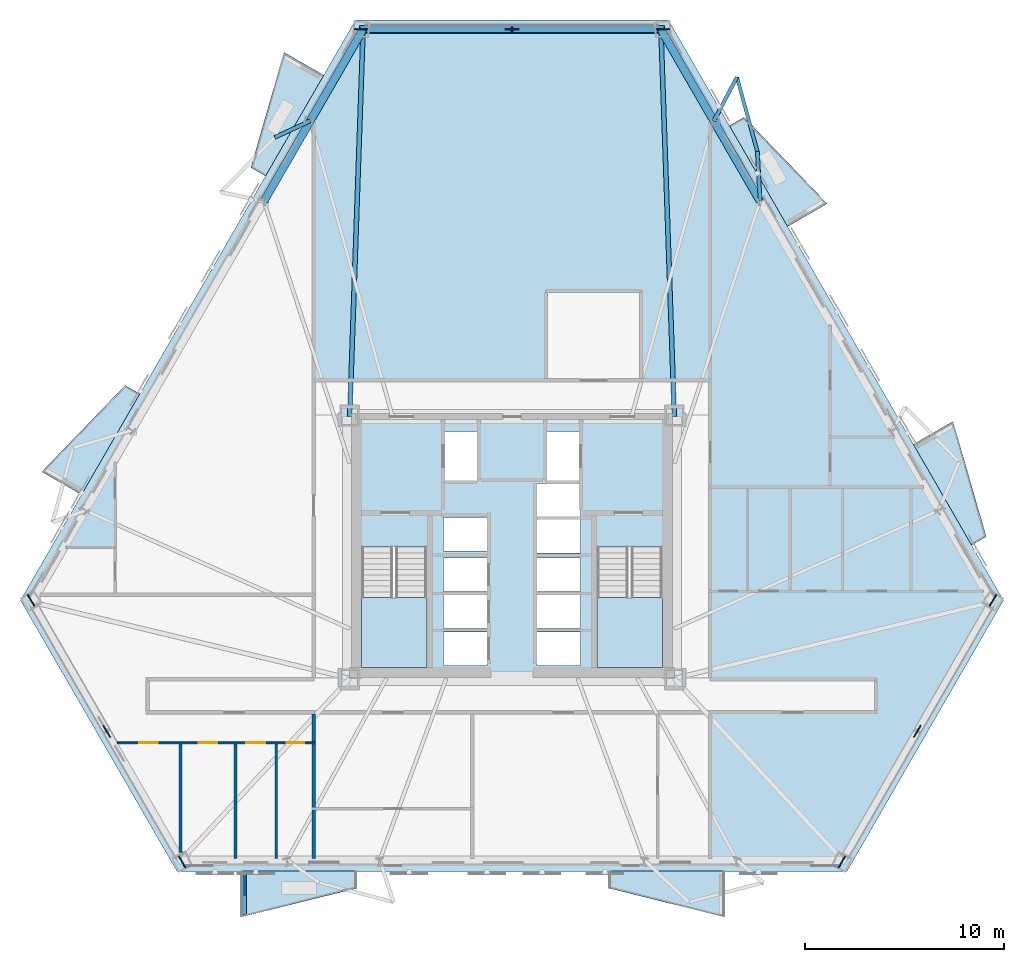
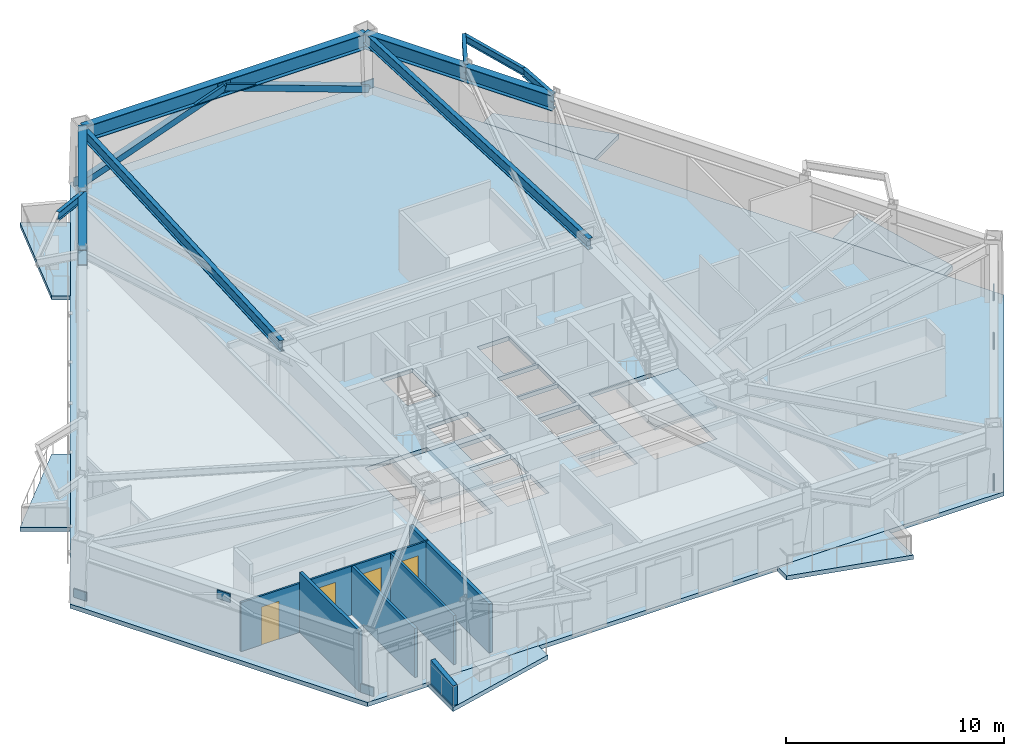
# One storey, part 2 of 13: 11 beams, 9 plates, 9 slabs, 6 walls, 4 doors, 2 members, 4 openings, 2 elements without a shape of their own.
"""IFC4 building model written with IfcOpenShell, lengths in metres."""

import ifcopenshell
import ifcopenshell.guid

model = None  # the IFC model being written
_history = None  # IfcOwnerHistory: only IFC2X3 demands one
_inside = {}  # id of a spatial element -> (the spatial element, [elements in it])
_under = {}  # id of a project, library or spatial element -> (it, [spatial elements below it])
_declared = {}  # id of a project -> (the project, [libraries it declares])
_typed = {}  # id of a type object -> (the type object, [elements of that type])
_made_of = {}  # id of a material, layer set ... -> (it, [elements and type objects made of it])


def new_model(schema):
    """Start an empty IFC model of exactly this schema.

    Asked for "IFC4X3", IfcOpenShell would pick the latest addendum, in which some entities
    have other attributes; the version numbers below select the first issue.
    IFC2X3 requires an IfcOwnerHistory on every rooted entity: one is made here for all.
    """
    global model, _history
    if schema == "IFC4X3":
        model = ifcopenshell.file(schema_version=(4, 3, 0, 0))
    else:
        model = ifcopenshell.file(schema=schema)
    _inside.clear()
    _under.clear()
    _declared.clear()
    _typed.clear()
    _made_of.clear()
    _history = None
    if model.schema == "IFC2X3":
        org = make("IfcOrganization", Name="unknown")
        user = make(
            "IfcPersonAndOrganization",
            ThePerson=make("IfcPerson", FamilyName="unknown"),
            TheOrganization=org,
        )
        app = make(
            "IfcApplication",
            ApplicationDeveloper=org,
            Version="unknown",
            ApplicationFullName="unknown",
            ApplicationIdentifier="unknown",
        )
        _history = make(
            "IfcOwnerHistory",
            OwningUser=user,
            OwningApplication=app,
            ChangeAction="ADDED",
            CreationDate=0,
        )
    return model


def make(cls, **values):
    """One entity of the class cls with the attributes given. An attribute that is None is left unset."""
    return model.create_entity(
        cls, **{name: value for name, value in values.items() if value is not None}
    )


def rooted(cls, **values):
    """An entity with a GlobalId (a new one), such as an element, a storey or a relation."""
    return make(cls, GlobalId=ifcopenshell.guid.new(), OwnerHistory=_history, **values)


def si_unit(unit_type, name, prefix=None):
    """IfcSIUnit, for example si_unit("LENGTHUNIT", "METRE", prefix="MILLI")."""
    return make("IfcSIUnit", UnitType=unit_type, Prefix=prefix, Name=name)


def assignment(units):
    """IfcUnitAssignment: the units of a project."""
    return None if units is None else make("IfcUnitAssignment", Units=units)


def point(xyz):
    """IfcCartesianPoint."""
    return None if xyz is None else make("IfcCartesianPoint", Coordinates=xyz)


def direction(xyz):
    """IfcDirection."""
    return None if xyz is None else make("IfcDirection", DirectionRatios=xyz)


def frame(location, z_axis=None, x_axis=None):
    """IfcAxis2Placement3D, a coordinate frame: its origin and axes. An axis left out is left unset."""
    return make(
        "IfcAxis2Placement3D",
        Location=point(location),
        Axis=direction(z_axis),
        RefDirection=direction(x_axis),
    )


def frame_2d(location, x_axis=None):
    """IfcAxis2Placement2D, a coordinate frame in the plane: its origin and x axis."""
    return make(
        "IfcAxis2Placement2D", Location=point(location), RefDirection=direction(x_axis)
    )


def origin():
    """The frame at (0, 0, 0) with its axes left unset."""
    return frame((0.0, 0.0, 0.0))


def origin_2d():
    """The frame at (0, 0) in the plane with its x axis left unset."""
    return frame_2d((0.0, 0.0))


def place(relative_to, where):
    """IfcLocalPlacement: puts the frame where relative to a parent placement (None: the world)."""
    return make(
        "IfcLocalPlacement", PlacementRelTo=relative_to, RelativePlacement=where
    )


def context(
    kind, dimensions, precision=None, world=None, true_north=None, identifier=None
):
    """IfcGeometricRepresentationContext, for example the 3D "Model" context."""
    return make(
        "IfcGeometricRepresentationContext",
        ContextIdentifier=identifier,
        ContextType=kind,
        CoordinateSpaceDimension=dimensions,
        Precision=precision,
        WorldCoordinateSystem=world,
        TrueNorth=true_north,
    )


def subcontext(parent, identifier, kind, view, scale=None):
    """IfcGeometricRepresentationSubContext, for example "Body" below "Model"."""
    return make(
        "IfcGeometricRepresentationSubContext",
        ContextIdentifier=identifier,
        ContextType=kind,
        ParentContext=parent,
        TargetScale=scale,
        TargetView=view,
    )


def project(units=None, contexts=None):
    """IfcProject with its units and contexts."""
    return rooted(
        "IfcProject",
        Name="project",
        RepresentationContexts=contexts,
        UnitsInContext=assignment(units),
    )


def spatial(cls, under=None, at=None, **own):
    """A site, building, storey or space (cls), placed at a placement, below another one or the project."""
    s = rooted(cls, ObjectPlacement=at, **own)
    if under is not None:
        _under.setdefault(under.id(), (under, []))[1].append(s)
    return s


def polyline(points):
    """IfcPolyline through the points."""
    return make("IfcPolyline", Points=[point(p) for p in points])


def profile(cls, at=None, kind="AREA", **sizes):
    """A parametric profile (cls). Its sizes go by their IFC names, for example OverallWidth=200.0."""
    return make(cls, ProfileType=kind, Position=at, **sizes)


def rectangle(**sizes):
    """IfcRectangleProfileDef."""
    return profile("IfcRectangleProfileDef", **sizes)


def hollow_rectangle(**sizes):
    """IfcRectangleHollowProfileDef."""
    return profile("IfcRectangleHollowProfileDef", **sizes)


def i_section(**sizes):
    """IfcIShapeProfileDef."""
    return profile("IfcIShapeProfileDef", **sizes)


def outline(outer, holes=None, kind="AREA"):
    """IfcArbitraryClosedProfileDef: a profile drawn as a closed curve; with holes, ...WithVoids."""
    if holes is None:
        return make("IfcArbitraryClosedProfileDef", ProfileType=kind, OuterCurve=outer)
    return make(
        "IfcArbitraryProfileDefWithVoids",
        ProfileType=kind,
        OuterCurve=outer,
        InnerCurves=holes,
    )


def extrude(swept, where, along, depth):
    """IfcExtrudedAreaSolid: the profile swept, set in the frame where, extruded along a direction by depth."""
    return make(
        "IfcExtrudedAreaSolid",
        SweptArea=swept,
        Position=where,
        ExtrudedDirection=direction(along),
        Depth=depth,
    )


def shape(context_of_items, identifier, shape_type, items):
    """IfcShapeRepresentation: the items that make up one representation, for example the "Body"."""
    return make(
        "IfcShapeRepresentation",
        ContextOfItems=context_of_items,
        RepresentationIdentifier=identifier,
        RepresentationType=shape_type,
        Items=items,
    )


def material(Name=None, Category=None):
    """IfcMaterial."""
    return make("IfcMaterial", Name=Name, Category=Category)


def layer(
    of_material, thickness, ventilated=None, Name=None, Category=None, Priority=None
):
    """IfcMaterialLayer: one layer of a wall or slab, of a material (None: an air gap)."""
    return make(
        "IfcMaterialLayer",
        Material=of_material,
        LayerThickness=thickness,
        IsVentilated=ventilated,
        Name=Name,
        Category=Category,
        Priority=Priority,
    )


def layer_set(layers, Name=None):
    """IfcMaterialLayerSet."""
    return make("IfcMaterialLayerSet", MaterialLayers=layers, LayerSetName=Name)


def material_profile(
    of_material, cross_section, Name=None, Category=None, Priority=None
):
    """IfcMaterialProfile: a cross section and its material."""
    return make(
        "IfcMaterialProfile",
        Name=Name,
        Material=of_material,
        Profile=cross_section,
        Priority=Priority,
        Category=Category,
    )


def profile_set(profiles, Name=None, composite=None):
    """IfcMaterialProfileSet."""
    return make(
        "IfcMaterialProfileSet",
        Name=Name,
        MaterialProfiles=profiles,
        CompositeProfile=composite,
    )


def made_of(thing, what):
    """Note that an element or type object is made of a material, layer set ...; save() writes the relation."""
    if what is not None:
        _made_of.setdefault(what.id(), (what, []))[1].append(thing)
    return thing


def type_object(cls, material=None, **own):
    """A type object (cls), such as IfcWallType, which elements share."""
    return made_of(rooted(cls, **own), material)


def element(
    cls,
    number,
    at=None,
    inside=None,
    cuts=None,
    type_object=None,
    material=None,
    context=None,
    identifier="Body",
    shape_type=None,
    held_by="IfcProductDefinitionShape",
    body=None,
    shapes=None,
    **own,
):
    """One element of the class cls, such as IfcWall. Its Tag is "e" and its number.

    at: its placement. inside: the storey or other place that contains it. cuts: it is an
    opening in that element (IfcRelVoidsElement). A single representation is given by context,
    identifier, shape_type and body (its items); several are given by shapes. held_by: the class
    of the entity that holds the representations. save() writes the other relations.
    """
    e = rooted(cls, Tag="e%d" % number, ObjectPlacement=at, **own)
    if body is not None:
        shapes = [shape(context, identifier, shape_type, body)]
    if shapes is not None:
        e.Representation = make(held_by, Representations=shapes)
    if inside is not None:
        _inside.setdefault(inside.id(), (inside, []))[1].append(e)
    if cuts is not None:
        rooted(
            "IfcRelVoidsElement", RelatingBuildingElement=cuts, RelatedOpeningElement=e
        )
    if type_object is not None:
        _typed.setdefault(type_object.id(), (type_object, []))[1].append(e)
    return made_of(e, material)


def fill(opening, filler):
    """IfcRelFillsElement: the door or window that sits in an opening."""
    return rooted(
        "IfcRelFillsElement",
        RelatingOpeningElement=opening,
        RelatedBuildingElement=filler,
    )


def aggregate(whole, parts):
    """IfcRelAggregates: a whole, such as a stair, and the parts it consists of."""
    return rooted("IfcRelAggregates", RelatingObject=whole, RelatedObjects=parts)


def save(model, path):
    """Write the relations noted so far, then the file.

    IfcRelAggregates (storeys below a building ...), IfcRelContainedInSpatialStructure (elements
    in a storey), IfcRelDefinesByType, IfcRelAssociatesMaterial and IfcRelDeclares: one each for
    every whole, place, type object, material and project.
    """
    for whole, parts in _under.values():
        aggregate(whole, parts)
    for where, things in _inside.values():
        rooted(
            "IfcRelContainedInSpatialStructure",
            RelatedElements=things,
            RelatingStructure=where,
        )
    for kind, things in _typed.values():
        rooted("IfcRelDefinesByType", RelatedObjects=things, RelatingType=kind)
    for what, things in _made_of.values():
        rooted("IfcRelAssociatesMaterial", RelatedObjects=things, RelatingMaterial=what)
    for by, libraries in _declared.values():
        rooted("IfcRelDeclares", RelatingContext=by, RelatedDefinitions=libraries)
    model.write(path)


model = new_model("IFC4")

# Units and contexts
model_context = context("Model", 3, precision=1e-05, world=origin(), true_north=direction((0.0, 1.0)))
body_context = subcontext(model_context, "Body", "Model", "MODEL_VIEW")
ifc_project = project(units=[si_unit("LENGTHUNIT", "METRE"), si_unit("AREAUNIT", "SQUARE_METRE"), si_unit("VOLUMEUNIT", "CUBIC_METRE"), si_unit("PLANEANGLEUNIT", "RADIAN"), si_unit("MASSUNIT", "GRAM", prefix="KILO")], contexts=[model_context])

# Site, building, storey
site_placement = place(None, origin())
site = spatial("IfcSite", under=ifc_project, at=site_placement, CompositionType="ELEMENT")
building_placement = place(site_placement, origin())
building = spatial("IfcBuilding", under=site, at=building_placement, Name="Oramaril Tower", CompositionType="ELEMENT")
storey_placement = place(building_placement, frame((0.0, 0.0, 41.699951171875)))
storey = spatial("IfcBuildingStorey", under=building, at=storey_placement, Name="L10", CompositionType="ELEMENT", Elevation=41.699951171875)

# Beams
ifc_material_1 = material(Name="Steel ASTM A572 Gr 50", Category="steel")
ifc_material_profile_1 = material_profile(ifc_material_1, i_section(OverallWidth=0.19091796875, OverallDepth=0.45703125, WebThickness=0.009033203125, FlangeThickness=0.014404296875, at=origin_2d()), Name="W18X50")
ifc_profile_set_1 = profile_set([ifc_material_profile_1], Name="Steel ASTM A572 Gr 50")
beam_type_1 = type_object("IfcBeamType", Name="BT-BB1", PredefinedType="BEAM", material=ifc_profile_set_1)
beam_1_placement = place(storey_placement, frame((49.95947265625, 34.9638671875, 3.131591796875), z_axis=(-0.055821339303, 0.998440773445, 0.0), x_axis=(-0.998440773445, -0.055821339303, 0.0)))
element("IfcBeam", 1, at=beam_1_placement, inside=storey, type_object=beam_type_1, Name="L10 Balcony Column-Framed Cantilever 04.1", PredefinedType="BEAM", context=body_context, shape_type="SweptSolid", body=[
    extrude(i_section(OverallWidth=0.19091796875, OverallDepth=0.45703125, WebThickness=0.009033203125, FlangeThickness=0.014404296875, at=origin_2d()), origin(), (0.0, 0.0, 1.0), 2.501708984375),
])
beam_2_placement = place(storey_placement, frame((47.634521484375, 38.990966796875, 3.131591796875), z_axis=(0.466554176276, 0.884492623259, 0.0), x_axis=(-0.884492623259, 0.466554176276, 0.0)))
element("IfcBeam", 2, at=beam_2_placement, inside=storey, type_object=beam_type_1, Name="L10 Balcony Column-Framed Cantilever 04.2", PredefinedType="BEAM", context=body_context, shape_type="SweptSolid", body=[
    extrude(i_section(OverallWidth=0.19091796875, OverallDepth=0.45703125, WebThickness=0.009033203125, FlangeThickness=0.014404296875, at=origin_2d()), origin(), (0.0, 0.0, 1.0), 2.49072265625),
])
beam_3_placement = place(storey_placement, frame((27.365478515625, 38.990966796875, 3.131591796875), z_axis=(-0.907875347127, -0.419240210475, 0.0), x_axis=(0.419240210475, -0.907875347127, 0.0)))
element("IfcBeam", 3, at=beam_3_placement, inside=storey, type_object=beam_type_1, Name="L10 Balcony Column-Framed Cantilever 05.1", PredefinedType="BEAM", context=body_context, shape_type="SweptSolid", body=[
    extrude(i_section(OverallWidth=0.19091796875, OverallDepth=0.45703125, WebThickness=0.009033203125, FlangeThickness=0.014404296875, at=origin_2d()), origin(), (0.0, 0.0, 1.0), 1.9560546875),
])
ifc_material_2 = material(Name="Steel ASTM A572 Gr 50", Category="steel")
ifc_material_profile_2 = material_profile(ifc_material_2, i_section(OverallWidth=0.22900390625, OverallDepth=0.612060546875, WebThickness=0.011962890625, FlangeThickness=0.01953125, at=origin_2d()), Name="W24X84")
ifc_profile_set_2 = profile_set([ifc_material_profile_2], Name="Steel ASTM A572 Gr 50")
beam_type_2 = type_object("IfcBeamType", Name="BT-FB1", PredefinedType="BEAM", material=ifc_profile_set_2)
for number, where, z_axis, x_axis, name in (
    (4, (45.64990234375, 24.14990234375, 3.053955078125), (-0.034572489216, 0.999402192808, 0.0), (-0.999402192808, -0.034572489216, 0.0), "L10 Radial Primary Beam RB-05"),
    (5, (29.35009765625, 24.14990234375, 3.053955078125), (0.034572489216, 0.999402192808, 0.0), (-0.999402192808, 0.034572489216, 0.0), "L10 Radial Primary Beam RB-06"),
):
    element("IfcBeam", number, at=place(storey_placement, frame(where, z_axis=z_axis, x_axis=x_axis)), inside=storey, type_object=beam_type_2, Name=name, PredefinedType="BEAM", context=body_context, shape_type="SweptSolid", body=[
        extrude(i_section(OverallWidth=0.22900390625, OverallDepth=0.612060546875, WebThickness=0.011962890625, FlangeThickness=0.01953125, at=origin_2d()), origin(), (0.0, 0.0, 1.0), 19.455078125),
    ])
ifc_material_3 = material(Name="Steel ASTM A572 Gr 50", Category="steel")
ifc_material_profile_3 = material_profile(ifc_material_3, i_section(OverallWidth=0.177978515625, OverallDepth=0.404052734375, WebThickness=0.007568359375, FlangeThickness=0.010986328125, at=origin_2d()), Name="W16X36")
ifc_profile_set_3 = profile_set([ifc_material_profile_3], Name="Steel ASTM A572 Gr 50")
beam_type_3 = type_object("IfcBeamType", Name="BT-SB1", PredefinedType="BEAM", material=ifc_profile_set_3)
beam_4_placement = place(storey_placement, frame((49.81982421875, 37.461669921875, 3.157958984375), z_axis=(-0.264382243015, 0.964417974521, 0.0), x_axis=(-0.964417974521, -0.264382243015, 0.0)))
element("IfcBeam", 6, at=beam_4_placement, inside=storey, type_object=beam_type_3, Name="L10 Balcony Edge Tie Beam 04", PredefinedType="BEAM", context=body_context, shape_type="SweptSolid", body=[
    extrude(i_section(OverallWidth=0.177978515625, OverallDepth=0.404052734375, WebThickness=0.007568359375, FlangeThickness=0.010986328125, at=origin_2d()), origin(), (0.0, 0.0, 1.0), 3.8701171875),
])
ifc_material_4 = material(Name="Steel ASTM A572 Gr 50", Category="steel")
ifc_material_profile_4 = material_profile(ifc_material_4, i_section(OverallWidth=0.40087890625, OverallDepth=0.85595703125, WebThickness=0.018310546875, FlangeThickness=0.029296875, at=origin_2d()), Name="W33X201")
ifc_profile_set_4 = profile_set([ifc_material_profile_4], Name="Steel ASTM A572 Gr 50")
beam_type_4 = type_object("IfcBeamType", Name="BT-SP1", PredefinedType="SPANDREL", material=ifc_profile_set_4)
beam_5_placement = place(storey_placement, frame((49.95947265625, 34.9638671875, 2.93212890625), z_axis=(-0.499984536904, 0.866034331223, 0.0), x_axis=(-0.866034331223, -0.499984536904, 0.0)))
element("IfcBeam", 7, at=beam_5_placement, inside=storey, type_object=beam_type_4, Name="L10 Perimeter Spandrel 11", PredefinedType="SPANDREL", context=body_context, shape_type="SweptSolid", body=[
    extrude(i_section(OverallWidth=0.40087890625, OverallDepth=0.85595703125, WebThickness=0.018310546875, FlangeThickness=0.029296875, at=origin_2d()), origin(), (0.0, 0.0, 1.0), 4.650146484375),
])
beam_6_placement = place(storey_placement, frame((47.634521484375, 38.990966796875, 2.93212890625), z_axis=(-0.500012750943, 0.866018041899, 0.0), x_axis=(-0.866018041899, -0.500012750943, 0.0)))
element("IfcBeam", 8, at=beam_6_placement, inside=storey, type_object=beam_type_4, Name="L10 Perimeter Spandrel 12", PredefinedType="SPANDREL", context=body_context, shape_type="SweptSolid", body=[
    extrude(i_section(OverallWidth=0.40087890625, OverallDepth=0.85595703125, WebThickness=0.018310546875, FlangeThickness=0.029296875, at=origin_2d()), origin(), (0.0, 0.0, 1.0), 5.314208984375),
])
beam_7_placement = place(storey_placement, frame((44.977294921875, 43.59326171875, 2.93212890625), z_axis=(-1.0, 0.0, 0.0), x_axis=(0.0, -1.0, 0.0)))
element("IfcBeam", 9, at=beam_7_placement, inside=storey, type_object=beam_type_4, Name="L10 Perimeter Spandrel 13", PredefinedType="SPANDREL", context=body_context, shape_type="SweptSolid", body=[
    extrude(i_section(OverallWidth=0.40087890625, OverallDepth=0.85595703125, WebThickness=0.018310546875, FlangeThickness=0.029296875, at=origin_2d()), origin(), (0.0, 0.0, 1.0), 14.95458984375),
])
beam_8_placement = place(storey_placement, frame((30.022705078125, 43.59326171875, 2.93212890625), z_axis=(-0.500012750943, -0.866018041899, 0.0), x_axis=(0.866018041899, -0.500012750943, 0.0)))
element("IfcBeam", 10, at=beam_8_placement, inside=storey, type_object=beam_type_4, Name="L10 Perimeter Spandrel 14", PredefinedType="SPANDREL", context=body_context, shape_type="SweptSolid", body=[
    extrude(i_section(OverallWidth=0.40087890625, OverallDepth=0.85595703125, WebThickness=0.018310546875, FlangeThickness=0.029296875, at=origin_2d()), origin(), (0.0, 0.0, 1.0), 5.314208984375),
])
beam_9_placement = place(storey_placement, frame((27.365478515625, 38.990966796875, 2.93212890625), z_axis=(-0.499984536904, -0.866034331223, 0.0), x_axis=(0.866034331223, -0.499984536904, 0.0)))
element("IfcBeam", 11, at=beam_9_placement, inside=storey, type_object=beam_type_4, Name="L10 Perimeter Spandrel 15", PredefinedType="SPANDREL", context=body_context, shape_type="SweptSolid", body=[
    extrude(i_section(OverallWidth=0.40087890625, OverallDepth=0.85595703125, WebThickness=0.018310546875, FlangeThickness=0.029296875, at=origin_2d()), origin(), (0.0, 0.0, 1.0), 4.650146484375),
])

# Members
ifc_material_5 = material(Name="Steel ASTM A572 Gr 50", Category="steel")
ifc_material_profile_5 = material_profile(ifc_material_5, hollow_rectangle(XDim=0.35009765625, YDim=0.35009765625, WallThickness=0.01611328125, at=origin_2d()), Name="HSS350X350X16")
ifc_profile_set_5 = profile_set([ifc_material_profile_5], Name="Steel ASTM A572 Gr 50")
member_type = type_object("IfcMemberType", Name="MT-KB1", PredefinedType="BRACE", material=ifc_profile_set_5)
for number, where, z_axis, x_axis, name in (
    (12, (45.089111328125, 43.6025390625, 0.179931640625), (-0.940090636557, 0.0, 0.340924617851), (0.0, -1.0, 0.0), "L10 Perimeter Chevron Brace KB-3A"),
    (13, (29.910888671875, 43.6025390625, 0.179931640625), (0.940090636557, 0.0, 0.340924617851), (0.0, 1.0, 0.0), "L10 Perimeter Chevron Brace KB-3B"),
):
    element("IfcMember", number, at=place(storey_placement, frame(where, z_axis=z_axis, x_axis=x_axis)), inside=storey, type_object=member_type, Name=name, PredefinedType="BRACE", context=body_context, shape_type="SweptSolid", body=[
        extrude(hollow_rectangle(XDim=0.35009765625, YDim=0.35009765625, WallThickness=0.01611328125, at=origin_2d()), origin(), (0.0, 0.0, 1.0), 8.07275390625),
    ])

# Plates
ifc_material_6 = material(Name="Steel ASTM A572 Gr 50", Category="steel")
ifc_layer_1 = layer(ifc_material_6, 0.06005859375)
ifc_layer_set_1 = layer_set([ifc_layer_1], Name="PLT-G60")
plate_type = type_object("IfcPlateType", Name="PLT-G60", PredefinedType="USERDEFINED", material=ifc_layer_set_1)
for number, where, z_axis, x_axis, name in (
    (14, (17.14599609375, 8.3486328125, 2.692138671875), (0.0, 0.0, 1.0), (0.499996976998, -0.866027149108, 0.0), "L10 Chevron Brace Gusset Plate BN-1"),
    (15, (13.3515625, 14.921142578125, 0.10009765625), (0.0, 0.0, 1.0), (0.499996976998, -0.866027149108, 0.0), "L10 Chevron Brace Gusset Plate BN-1"),
    (16, (20.940673828125, 1.7763671875, 0.10009765625), (0.0, 0.0, 1.0), (0.499996976998, -0.866027149108, 0.0), "L10 Chevron Brace Gusset Plate BN-1"),
    (17, (57.85400390625, 8.3486328125, 2.692138671875), (0.0, 0.0, 1.0), (0.499996976998, 0.866027149108, 0.0), "L10 Chevron Brace Gusset Plate BN-1"),
    (18, (54.059326171875, 1.7763671875, 0.10009765625), (0.0, 0.0, 1.0), (0.499996976998, 0.866027149108, 0.0), "L10 Chevron Brace Gusset Plate BN-1"),
    (19, (61.6484375, 14.921142578125, 0.10009765625), (0.0, 0.0, 1.0), (0.499996976998, 0.866027149108, 0.0), "L10 Chevron Brace Gusset Plate BN-1"),
    (20, (37.5, 43.6025390625, 2.692138671875), (0.0, 0.0, 1.0), (-1.0, 0.0, 0.0), "L10 Chevron Brace Gusset Plate BN-1"),
    (21, (45.089111328125, 43.6025390625, 0.10009765625), (0.0, 0.0, 1.0), (-1.0, 0.0, 0.0), "L10 Chevron Brace Gusset Plate BN-1"),
    (22, (29.910888671875, 43.6025390625, 0.10009765625), (0.0, 0.0, 1.0), (-1.0, 0.0, 0.0), "L10 Chevron Brace Gusset Plate BN-1"),
):
    element("IfcPlate", number, at=place(storey_placement, frame(where, z_axis=z_axis, x_axis=x_axis)), inside=storey, type_object=plate_type, Name=name, ObjectType="GUSSET", PredefinedType="USERDEFINED", context=body_context, shape_type="SweptSolid", body=[
        extrude(rectangle(XDim=0.679931640625, YDim=0.06005859375, at=origin_2d()), origin(), (0.0, 0.0, 1.0), 0.47998046875),
    ])

# Slabs
ifc_material_7 = material(Name="Concrete C40/50", Category="concrete")
ifc_layer_2 = layer(ifc_material_7, 0.199951171875)
ifc_layer_set_2 = layer_set([ifc_layer_2], Name="SLT-BAL20")
slab_type_1 = type_object("IfcSlabType", Name="SLT-BAL20", PredefinedType="FLOOR", material=ifc_layer_set_2)
slab_1_placement = place(storey_placement, frame((0.0, 0.0, -0.239990234375)))
element("IfcSlab", 23, at=slab_1_placement, inside=storey, type_object=slab_type_1, Name="L10 Cantilevered Balcony Slab L10-BAL-S2", PredefinedType="FLOOR", context=body_context, shape_type="SweptSolid", body=[
    extrude(outline(polyline([(42.349853515625, 1.318359375), (48.199951171875, 1.318359375), (48.199951171875, -0.983642578125), (42.349853515625, 0.46630859375), (42.349853515625, 1.318359375)])), origin(), (0.0, 0.0, 1.0), 0.239990234375),
])
slab_2_placement = place(storey_placement, frame((0.0, 0.0, -0.239990234375)))
element("IfcSlab", 24, at=slab_2_placement, inside=storey, type_object=slab_type_1, Name="L10 Cantilevered Balcony Slab L10-BAL-NE1", PredefinedType="FLOOR", context=body_context, shape_type="SweptSolid", body=[
    extrude(outline(polyline([(60.577880859375, 17.69140625), (57.65283203125, 22.757568359375), (59.646484375, 23.90869140625), (61.315673828125, 18.117431640625), (60.577880859375, 17.69140625)])), origin(), (0.0, 0.0, 1.0), 0.239990234375),
])
slab_3_placement = place(storey_placement, frame((0.0, 0.0, -0.239990234375)))
element("IfcSlab", 25, at=slab_3_placement, inside=storey, type_object=slab_type_1, Name="L10 Cantilevered Balcony Slab L10-BAL-NW2", PredefinedType="FLOOR", context=body_context, shape_type="SweptSolid", body=[
    extrude(outline(polyline([(18.8095703125, 25.290771484375), (15.884521484375, 20.224609375), (13.89111328125, 21.37548828125), (18.07177734375, 25.716796875), (18.8095703125, 25.290771484375)])), origin(), (0.0, 0.0, 1.0), 0.239990234375),
])
ifc_material_8 = material(Name="Concrete C50/60", Category="concrete")
ifc_layer_3 = layer(ifc_material_8, 0.239990234375)
ifc_layer_set_3 = layer_set([ifc_layer_3], Name="SLT-FLR24")
slab_type_2 = type_object("IfcSlabType", Name="SLT-FLR24", PredefinedType="FLOOR", material=ifc_layer_set_3)
slab_4_placement = place(storey_placement, frame((0.0, 0.0, -0.239990234375)))
element("IfcSlab", 26, at=slab_4_placement, inside=storey, type_object=slab_type_2, Name="L10 Structural Floor Slab", PredefinedType="FLOOR", context=body_context, shape_type="SweptSolid", body=[
    extrude(outline(polyline([(12.8203125, 14.921142578125), (20.675048828125, 1.31640625), (54.324951171875, 1.31640625), (62.1796875, 14.921142578125), (45.354736328125, 44.0625), (29.645263671875, 44.0625), (12.8203125, 14.921142578125)]), holes=[polyline([(29.949951171875, 17.58935546875), (29.949951171875, 11.550048828125), (33.219970703125, 11.550048828125), (33.219970703125, 17.58935546875), (29.949951171875, 17.58935546875)]), polyline([(41.780029296875, 17.58935546875), (41.780029296875, 11.550048828125), (45.050048828125, 11.550048828125), (45.050048828125, 17.58935546875), (41.780029296875, 17.58935546875)]), polyline([(34.110107421875, 20.909912109375), (35.7900390625, 20.909912109375), (35.7900390625, 23.389892578125), (34.110107421875, 23.389892578125), (34.110107421875, 20.909912109375)]), polyline([(39.2099609375, 20.909912109375), (40.889892578125, 20.909912109375), (40.889892578125, 23.389892578125), (39.2099609375, 23.389892578125), (39.2099609375, 20.909912109375)]), polyline([(34.06005859375, 11.659912109375), (36.239990234375, 11.659912109375), (36.239990234375, 13.340087890625), (34.06005859375, 13.340087890625), (34.06005859375, 11.659912109375)]), polyline([(34.06005859375, 13.510009765625), (36.239990234375, 13.510009765625), (36.239990234375, 15.18994140625), (34.06005859375, 15.18994140625), (34.06005859375, 13.510009765625)]), polyline([(34.06005859375, 15.360107421875), (36.239990234375, 15.360107421875), (36.239990234375, 17.0400390625), (34.06005859375, 17.0400390625), (34.06005859375, 15.360107421875)]), polyline([(38.760009765625, 11.659912109375), (40.93994140625, 11.659912109375), (40.93994140625, 13.340087890625), (38.760009765625, 13.340087890625), (38.760009765625, 11.659912109375)]), polyline([(38.760009765625, 13.510009765625), (40.93994140625, 13.510009765625), (40.93994140625, 15.18994140625), (38.760009765625, 15.18994140625), (38.760009765625, 13.510009765625)]), polyline([(38.760009765625, 15.360107421875), (40.93994140625, 15.360107421875), (40.93994140625, 17.0400390625), (38.760009765625, 17.0400390625), (38.760009765625, 15.360107421875)]), polyline([(34.06005859375, 17.409912109375), (36.239990234375, 17.409912109375), (36.239990234375, 19.090087890625), (34.06005859375, 19.090087890625), (34.06005859375, 17.409912109375)]), polyline([(38.760009765625, 17.31005859375), (40.93994140625, 17.31005859375), (40.93994140625, 18.989990234375), (38.760009765625, 18.989990234375), (38.760009765625, 17.31005859375)]), polyline([(38.760009765625, 19.110107421875), (40.93994140625, 19.110107421875), (40.93994140625, 20.7900390625), (38.760009765625, 20.7900390625), (38.760009765625, 19.110107421875)])]), origin(), (0.0, 0.0, 1.0), 0.239990234375),
])

# Stair, slab
ifc_material_9 = material(Name="Concrete C50/60", Category="concrete")
stair_type = type_object("IfcStairType", Name="STT-DG-3600", PredefinedType="HALF_TURN_STAIR", material=ifc_material_9)
stair_1_placement = place(storey_placement, origin())
stair_1 = element("IfcStair", 27, at=stair_1_placement, inside=storey, type_object=stair_type, Name="L10 Protected PFP Exit Stair ST-1", PredefinedType="HALF_TURN_STAIR")
ifc_material_10 = material(Name="Concrete C50/60", Category="concrete")
ifc_layer_4 = layer(ifc_material_10, 0.199951171875)
ifc_layer_set_4 = layer_set([ifc_layer_4], Name="SLT-LND20")
slab_type_3 = type_object("IfcSlabType", Name="SLT-LND20", PredefinedType="LANDING", material=ifc_layer_set_4)
slab_5_placement = place(storey_placement, frame((0.0, 0.0, 1.60009765625)))
slab_5 = element("IfcSlab", 28, at=slab_5_placement, type_object=slab_type_3, Name="ST-1 landing 1", PredefinedType="LANDING", context=body_context, shape_type="SweptSolid", body=[
    extrude(outline(polyline([(29.949951171875, 15.070068359375), (29.949951171875, 11.550048828125), (33.219970703125, 11.550048828125), (33.219970703125, 15.070068359375), (29.949951171875, 15.070068359375)])), origin(), (0.0, 0.0, 1.0), 0.199951171875),
])
aggregate(stair_1, [slab_5])

stair_2_placement = place(storey_placement, origin())
stair_2 = element("IfcStair", 29, at=stair_2_placement, inside=storey, type_object=stair_type, Name="L10 Protected PFP Exit Stair ST-2", PredefinedType="HALF_TURN_STAIR")
slab_6_placement = place(storey_placement, frame((0.0, 0.0, 1.60009765625)))
slab_6 = element("IfcSlab", 30, at=slab_6_placement, type_object=slab_type_3, Name="ST-2 landing 1", PredefinedType="LANDING", context=body_context, shape_type="SweptSolid", body=[
    extrude(outline(polyline([(41.780029296875, 15.070068359375), (41.780029296875, 11.550048828125), (45.050048828125, 11.550048828125), (45.050048828125, 15.070068359375), (41.780029296875, 15.070068359375)])), origin(), (0.0, 0.0, 1.0), 0.199951171875),
])
aggregate(stair_2, [slab_6])

# Slabs
ifc_material_11 = material(Name="Concrete C40/50", Category="concrete")
ifc_layer_5 = layer(ifc_material_11, 0.18994140625)
ifc_layer_set_5 = layer_set([ifc_layer_5], Name="SLT-PLN19")
slab_type_4 = type_object("IfcSlabType", Name="SLT-PLN19", PredefinedType="FLOOR", material=ifc_layer_set_5)
slab_7_placement = place(storey_placement, frame((0.0, 0.0, -0.239990234375)))
element("IfcSlab", 31, at=slab_7_placement, inside=storey, type_object=slab_type_4, Name="L10 Tree Planter Balcony Slab L10-BAL-S1", PredefinedType="FLOOR", context=body_context, shape_type="SweptSolid", body=[
    extrude(outline(polyline([(23.875, 1.318359375), (29.72509765625, 1.318359375), (29.72509765625, 0.46630859375), (23.875, -0.983642578125), (23.875, 1.318359375)])), origin(), (0.0, 0.0, 1.0), 0.239990234375),
])
slab_8_placement = place(storey_placement, frame((0.0, 0.0, -0.239990234375)))
element("IfcSlab", 32, at=slab_8_placement, inside=storey, type_object=slab_type_4, Name="L10 Tree Planter Balcony Slab L10-BAL-NE2", PredefinedType="FLOOR", context=body_context, shape_type="SweptSolid", body=[
    extrude(outline(polyline([(51.340576171875, 33.69091796875), (48.41552734375, 38.757080078125), (49.1533203125, 39.18310546875), (53.333984375, 34.842041015625), (51.340576171875, 33.69091796875)])), origin(), (0.0, 0.0, 1.0), 0.239990234375),
])
slab_9_placement = place(storey_placement, frame((0.0, 0.0, -0.239990234375)))
element("IfcSlab", 33, at=slab_9_placement, inside=storey, type_object=slab_type_4, Name="L10 Tree Planter Balcony Slab L10-BAL-NW1", PredefinedType="FLOOR", context=body_context, shape_type="SweptSolid", body=[
    extrude(outline(polyline([(28.047119140625, 41.290283203125), (25.1220703125, 36.22412109375), (24.38427734375, 36.650146484375), (26.053466796875, 42.44140625), (28.047119140625, 41.290283203125)])), origin(), (0.0, 0.0, 1.0), 0.239990234375),
])

# Wall
ifc_material_12 = material(Name="Concrete C40/50", Category="concrete")
ifc_layer_6 = layer(ifc_material_12, 0.22998046875)
ifc_layer_set_6 = layer_set([ifc_layer_6], Name="WT-PRP23")
wall_type_1 = type_object("IfcWallType", Name="WT-PRP23", PredefinedType="PARAPET", material=ifc_layer_set_6)
wall_1_placement = place(storey_placement, frame((24.05517578125, 1.17822265625, 0.0), z_axis=(0.0, 0.0, 1.0), x_axis=(0.0, -1.0, 0.0)))
element("IfcWall", 34, at=wall_1_placement, inside=storey, type_object=wall_type_1, Name="L10 Trapezoidal Balcony Frame Cheek L10-BAL-S1-L", PredefinedType="PARAPET", context=body_context, shape_type="SweptSolid", body=[
    extrude(outline(polyline([(0.0, 0.0), (2.0419921875, 0.0), (2.0419921875, 1.10009765625), (0.0, 1.320068359375), (0.0, 0.0)])), frame((0.0, 0.114990234375, 0.0), z_axis=(0.0, -1.0, 0.0), x_axis=(1.0, 0.0, 0.0)), (0.0, 0.0, 1.0), 0.22998046875),
])

# Wall, openings, doors
ifc_material_13 = material(Name="Acoustic Gypsum Board Partition")
ifc_layer_7 = layer(ifc_material_13, 0.10009765625)
ifc_layer_set_7 = layer_set([ifc_layer_7], Name="WT-PT10")
wall_type_2 = type_object("IfcWallType", Name="WT-PT10", PredefinedType="PARTITIONING", material=ifc_layer_set_7)
wall_2_placement = place(storey_placement, frame((17.68115234375, 7.77001953125, 0.0), z_axis=(0.0, 0.0, 1.0), x_axis=(1.0, 0.0, 0.0)))
wall_2 = element("IfcWall", 35, at=wall_2_placement, inside=storey, type_object=wall_type_2, Name="L10 Interior Partition PT-10", PredefinedType="PARTITIONING", context=body_context, shape_type="SweptSolid", body=[
    extrude(rectangle(XDim=9.9189453125, YDim=0.10009765625, at=frame_2d((4.95947265625, 0.0))), origin(), (0.0, 0.0, 1.0), 2.738037109375),
])
opening_1_placement = place(wall_2_placement, frame((1.10009765625, 0.0, 0.0)))
opening_1 = element("IfcOpeningElement", 36, at=opening_1_placement, cuts=wall_2, Name="Opening D-L10-02", PredefinedType="OPENING", context=body_context, shape_type="SweptSolid", body=[
    extrude(rectangle(XDim=0.919921875, YDim=2.1201171875, at=frame_2d((0.4599609375, 1.06005859375))), frame((0.0, 0.050048828125, 0.0), z_axis=(0.0, -1.0, 0.0), x_axis=(1.0, 0.0, 0.0)), (0.0, 0.0, 1.0), 0.10009765625),
])
opening_2_placement = place(wall_2_placement, frame((4.09228515625, 0.0, 0.0)))
opening_2 = element("IfcOpeningElement", 37, at=opening_2_placement, cuts=wall_2, Name="Opening D-L10-03", PredefinedType="OPENING", context=body_context, shape_type="SweptSolid", body=[
    extrude(rectangle(XDim=0.919921875, YDim=2.1201171875, at=frame_2d((0.4599609375, 1.06005859375))), frame((0.0, 0.050048828125, 0.0), z_axis=(0.0, -1.0, 0.0), x_axis=(1.0, 0.0, 0.0)), (0.0, 0.0, 1.0), 0.10009765625),
])
opening_3_placement = place(wall_2_placement, frame((6.478759765625, 0.0, 0.0)))
opening_3 = element("IfcOpeningElement", 38, at=opening_3_placement, cuts=wall_2, Name="Opening D-L10-04", PredefinedType="OPENING", context=body_context, shape_type="SweptSolid", body=[
    extrude(rectangle(XDim=0.949951171875, YDim=2.10009765625, at=frame_2d((0.47509765625, 1.050048828125))), frame((0.0, 0.050048828125, 0.0), z_axis=(0.0, -1.0, 0.0), x_axis=(1.0, 0.0, 0.0)), (0.0, 0.0, 1.0), 0.10009765625),
])
opening_4_placement = place(wall_2_placement, frame((8.498779296875, 0.0, 0.0)))
opening_4 = element("IfcOpeningElement", 39, at=opening_4_placement, cuts=wall_2, Name="Opening D-L10-05", PredefinedType="OPENING", context=body_context, shape_type="SweptSolid", body=[
    extrude(rectangle(XDim=0.8798828125, YDim=2.080078125, at=frame_2d((0.43994140625, 1.0400390625))), frame((0.0, 0.050048828125, 0.0), z_axis=(0.0, -1.0, 0.0), x_axis=(1.0, 0.0, 0.0)), (0.0, 0.0, 1.0), 0.10009765625),
])
ifc_material_14 = material(Name="FSC Brazilian Freijo Hardwood", Category="wood")
door_type_1 = type_object("IfcDoorType", Name="DT-BATH", OperationType="NOTDEFINED", PredefinedType="DOOR", material=ifc_material_14)
door_1_placement = place(opening_4_placement, origin())
door_1 = element("IfcDoor", 40, at=door_1_placement, inside=storey, type_object=door_type_1, Name="L10 Flat L10-U3 Bathroom Door D-L10-05", OperationType="SINGLE_SWING_RIGHT", OverallHeight=2.080078125, OverallWidth=0.8798828125, PredefinedType="DOOR", context=body_context, shape_type="SweptSolid", body=[
    extrude(rectangle(XDim=0.8798828125, YDim=2.080078125, at=frame_2d((0.43994140625, 1.0400390625))), frame((0.0, 0.02490234375, 0.0), z_axis=(0.0, -1.0, 0.0), x_axis=(1.0, 0.0, 0.0)), (0.0, 0.0, 1.0), 0.050048828125),
])
fill(opening_4, door_1)
ifc_material_15 = material(Name="FSC Brazilian Freijo Hardwood", Category="wood")
door_type_2 = type_object("IfcDoorType", Name="DT-BED", OperationType="NOTDEFINED", PredefinedType="DOOR", material=ifc_material_15)
door_2_placement = place(opening_1_placement, origin())
door_2 = element("IfcDoor", 41, at=door_2_placement, inside=storey, type_object=door_type_2, Name="L10 Flat L10-U3 Master Bedroom Door D-L10-02", OperationType="SINGLE_SWING_LEFT", OverallHeight=2.1201171875, OverallWidth=0.919921875, PredefinedType="DOOR", context=body_context, shape_type="SweptSolid", body=[
    extrude(rectangle(XDim=0.919921875, YDim=2.1201171875, at=frame_2d((0.4599609375, 1.06005859375))), frame((0.0, 0.02490234375, 0.0), z_axis=(0.0, -1.0, 0.0), x_axis=(1.0, 0.0, 0.0)), (0.0, 0.0, 1.0), 0.050048828125),
])
fill(opening_1, door_2)
door_3_placement = place(opening_2_placement, origin())
door_3 = element("IfcDoor", 42, at=door_3_placement, inside=storey, type_object=door_type_2, Name="L10 Flat L10-U3 Bedroom 2 Door D-L10-03", OperationType="SINGLE_SWING_RIGHT", OverallHeight=2.1201171875, OverallWidth=0.919921875, PredefinedType="DOOR", context=body_context, shape_type="SweptSolid", body=[
    extrude(rectangle(XDim=0.919921875, YDim=2.1201171875, at=frame_2d((0.4599609375, 1.06005859375))), frame((0.0, 0.02490234375, 0.0), z_axis=(0.0, -1.0, 0.0), x_axis=(1.0, 0.0, 0.0)), (0.0, 0.0, 1.0), 0.050048828125),
])
fill(opening_2, door_3)
ifc_material_16 = material(Name="FSC Brazilian Freijo Hardwood", Category="wood")
door_type_3 = type_object("IfcDoorType", Name="DT-STDY", OperationType="NOTDEFINED", PredefinedType="DOOR", material=ifc_material_16)
door_4_placement = place(opening_3_placement, origin())
door_4 = element("IfcDoor", 43, at=door_4_placement, inside=storey, type_object=door_type_3, Name="L10 Flat L10-U3 Kitchen Door D-L10-04", OperationType="SINGLE_SWING_LEFT", OverallHeight=2.10009765625, OverallWidth=0.949951171875, PredefinedType="DOOR", context=body_context, shape_type="SweptSolid", body=[
    extrude(rectangle(XDim=0.949951171875, YDim=2.10009765625, at=frame_2d((0.47509765625, 1.050048828125))), frame((0.0, 0.02490234375, 0.0), z_axis=(0.0, -1.0, 0.0), x_axis=(1.0, 0.0, 0.0)), (0.0, 0.0, 1.0), 0.050048828125),
])
fill(opening_3, door_4)

# Walls
ifc_material_17 = material(Name="Acoustic Gypsum Board Partition")
ifc_layer_8 = layer(ifc_material_17, 0.1201171875)
ifc_layer_set_8 = layer_set([ifc_layer_8], Name="WT-PT12")
wall_type_3 = type_object("IfcWallType", Name="WT-PT12", PredefinedType="PARTITIONING", material=ifc_layer_set_8)
wall_3_placement = place(storey_placement, frame((25.659912109375, 1.9501953125, 0.0), z_axis=(0.0, 0.0, 1.0), x_axis=(0.0, 1.0, 0.0)))
element("IfcWall", 44, at=wall_3_placement, inside=storey, type_object=wall_type_3, Name="L10 Interior Partition PT-12", PredefinedType="PARTITIONING", context=body_context, shape_type="SweptSolid", body=[
    extrude(rectangle(XDim=5.765869140625, YDim=0.1201171875, at=frame_2d((2.8828125, 0.0))), origin(), (0.0, 0.0, 1.0), 2.738037109375),
])
ifc_material_18 = material(Name="Acoustic Gypsum Board Partition")
ifc_layer_9 = layer(ifc_material_18, 0.139892578125)
ifc_layer_set_9 = layer_set([ifc_layer_9], Name="WT-PT14")
wall_type_4 = type_object("IfcWallType", Name="WT-PT14", PredefinedType="PARTITIONING", material=ifc_layer_set_9)
wall_4_placement = place(storey_placement, frame((23.610107421875, 1.9501953125, 0.0), z_axis=(0.0, 0.0, 1.0), x_axis=(0.0, 1.0, 0.0)))
element("IfcWall", 45, at=wall_4_placement, inside=storey, type_object=wall_type_4, Name="L10 Interior Partition PT-14", PredefinedType="PARTITIONING", context=body_context, shape_type="SweptSolid", body=[
    extrude(rectangle(XDim=5.765869140625, YDim=0.139892578125, at=frame_2d((2.8828125, 0.0))), origin(), (0.0, 0.0, 1.0), 2.738037109375),
])
ifc_material_19 = material(Name="Acoustic Gypsum Board Partition")
ifc_layer_10 = layer(ifc_material_19, 0.159912109375)
ifc_layer_set_10 = layer_set([ifc_layer_10], Name="WT-PT16")
wall_type_5 = type_object("IfcWallType", Name="WT-PT16", PredefinedType="PARTITIONING", material=ifc_layer_set_10)
wall_5_placement = place(storey_placement, frame((20.860107421875, 2.26416015625, 0.0), z_axis=(0.0, 0.0, 1.0), x_axis=(0.0, 1.0, 0.0)))
element("IfcWall", 46, at=wall_5_placement, inside=storey, type_object=wall_type_5, Name="L10 Interior Partition PT-16", PredefinedType="PARTITIONING", context=body_context, shape_type="SweptSolid", body=[
    extrude(rectangle(XDim=5.451904296875, YDim=0.159912109375, at=frame_2d((2.72607421875, 0.0))), origin(), (0.0, 0.0, 1.0), 3.360107421875),
])
ifc_material_20 = material(Name="Autoclaved Cellular Concrete Block", Category="concrete")
ifc_layer_11 = layer(ifc_material_20, 0.179931640625)
ifc_layer_set_11 = layer_set([ifc_layer_11], Name="WT-PT18")
wall_type_6 = type_object("IfcWallType", Name="WT-PT18", PredefinedType="PARTITIONING", material=ifc_layer_set_11)
wall_6_placement = place(storey_placement, frame((27.550048828125, 1.9501953125, 0.0), z_axis=(0.0, 0.0, 1.0), x_axis=(0.0, 1.0, 0.0)))
element("IfcWall", 47, at=wall_6_placement, inside=storey, type_object=wall_type_6, Name="L10 Interior Partition PT-18", PredefinedType="PARTITIONING", context=body_context, shape_type="SweptSolid", body=[
    extrude(rectangle(XDim=7.255859375, YDim=0.179931640625, at=frame_2d((3.6279296875, 0.0))), origin(), (0.0, 0.0, 1.0), 2.738037109375),
])

save(model, "model.ifc")
